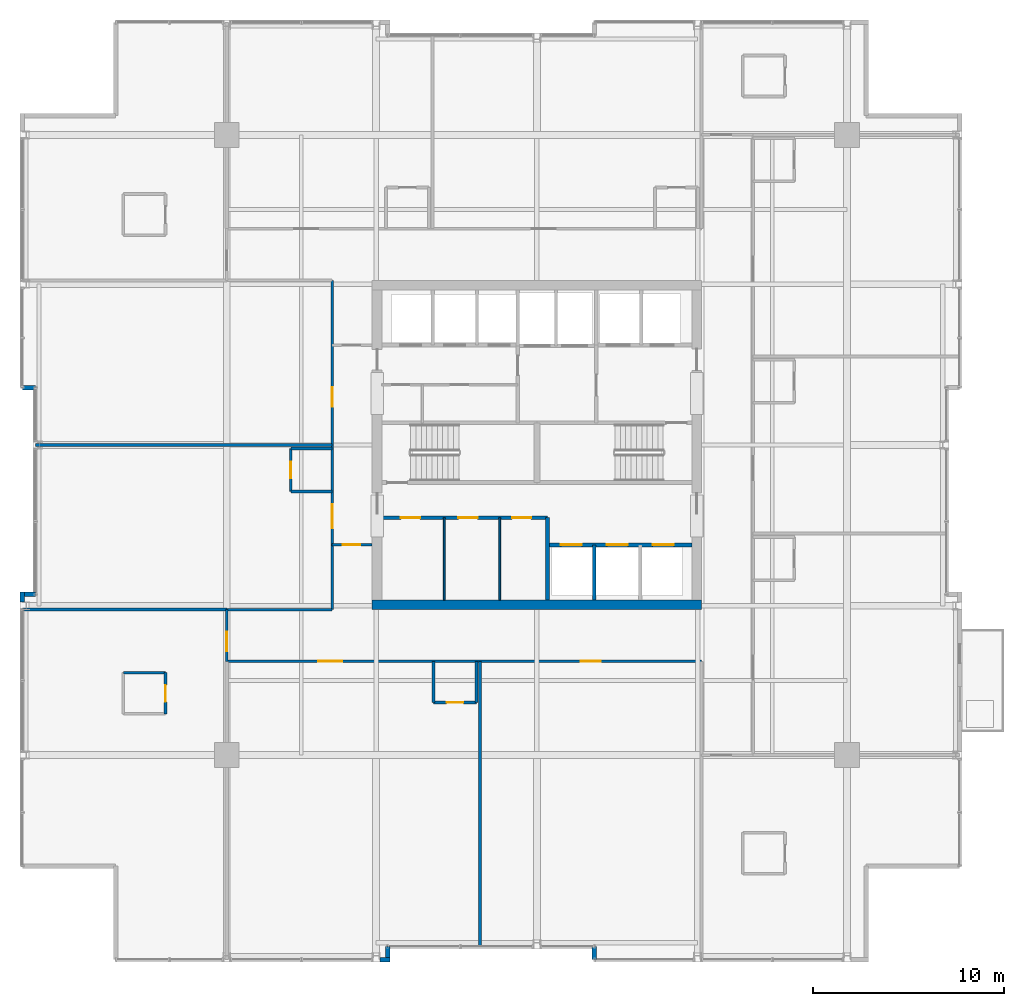
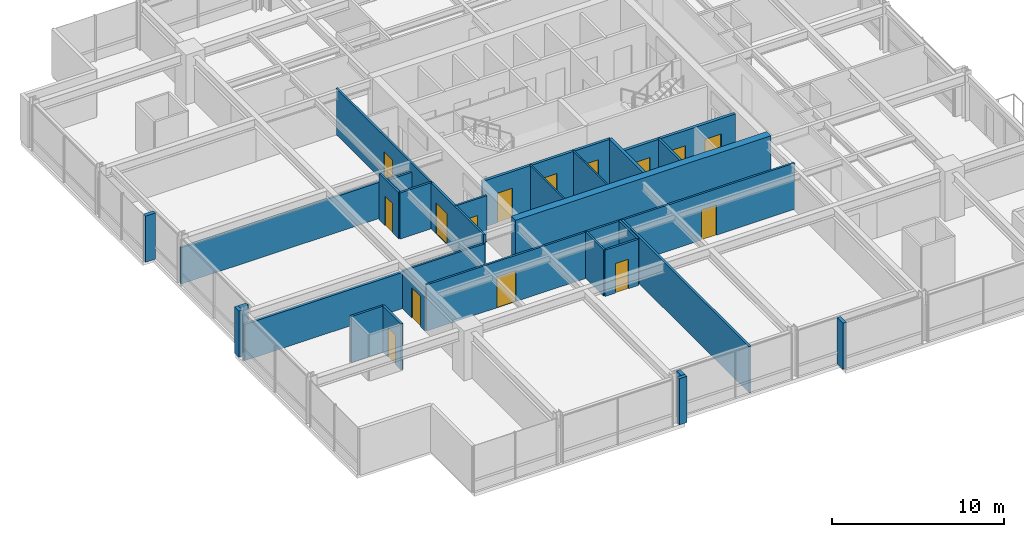
# One storey, part 27 of 32: 29 walls, 15 doors, 15 openings.
"""IFC4 building model written with IfcOpenShell, lengths in metres."""

from ifc_helpers import new_model, si_unit, direction, frame, frame_2d, origin, place, context, subcontext, project, spatial, rectangle, extrude, material, layer, layer_set, type_object, element, fill, save


model = new_model("IFC4")

# Units and contexts
model_context = context("Model", 3, precision=1e-05, world=origin(), true_north=direction((0.0, 1.0)))
body_context = subcontext(model_context, "Body", "Model", "MODEL_VIEW")
ifc_project = project(units=[si_unit("LENGTHUNIT", "METRE"), si_unit("AREAUNIT", "SQUARE_METRE"), si_unit("VOLUMEUNIT", "CUBIC_METRE"), si_unit("PLANEANGLEUNIT", "RADIAN"), si_unit("MASSUNIT", "GRAM", prefix="KILO")], contexts=[model_context])

# Site, building, storey
site_placement = place(None, origin())
site = spatial("IfcSite", under=ifc_project, at=site_placement, CompositionType="ELEMENT")
building_placement = place(site_placement, origin())
building = spatial("IfcBuilding", under=site, at=building_placement, Name="Drelvath Grand Hotel", CompositionType="ELEMENT")
storey_placement = place(building_placement, frame((0.0, 0.0, 164.60009765625)))
storey = spatial("IfcBuildingStorey", under=building, at=storey_placement, Name="L42", CompositionType="ELEMENT", Elevation=164.60009765625)

# Walls
ifc_material_1 = material(Name="Gypsum Partition Board")
ifc_layer_1 = layer(ifc_material_1, 0.10009765625)
ifc_layer_set_1 = layer_set([ifc_layer_1], Name="Gypsum Partition Board")
wall_type_1 = type_object("IfcWallType", Name="Core Closet Partition 100", PredefinedType="PARTITIONING", material=ifc_layer_set_1)
for number, where, z_axis, x_axis, name in (
    (1, (-4.840087890625, 18.89990234375, 0.0), (0.0, 0.0, 1.0), (0.0, 1.0, 0.0), "L42 Reclaimed Split 1"),
    (2, (-1.93994140625, 18.89990234375, 0.0), (0.0, 0.0, 1.0), (0.0, 1.0, 0.0), "L42 Reclaimed Split 2"),
):
    element("IfcWall", number, at=place(storey_placement, frame(where, z_axis=z_axis, x_axis=x_axis)), inside=storey, type_object=wall_type_1, Name=name, PredefinedType="PARTITIONING", context=body_context, shape_type="SweptSolid", body=[
        extrude(rectangle(XDim=4.300048828125, YDim=0.10009765625, at=frame_2d((2.14990234375, 0.0))), origin(), (0.0, 0.0, 1.0), 3.289794921875),
    ])

# Wall, openings, doors
ifc_material_2 = material(Name="Concrete C40/50", Category="concrete")
ifc_layer_2 = layer(ifc_material_2, 0.199951171875)
ifc_layer_set_2 = layer_set([ifc_layer_2], Name="Concrete C40/50")
wall_type_2 = type_object("IfcWallType", Name="Core Hoistway Fire Wall 200", PredefinedType="SOLIDWALL", material=ifc_layer_set_2)
wall_1_placement = place(storey_placement, frame((8.10009765625, 21.780029296875, 0.0), z_axis=(0.0, 0.0, 1.0), x_axis=(-1.0, 0.0, 0.0)))
wall_1 = element("IfcWall", 3, at=wall_1_placement, inside=storey, type_object=wall_type_2, Name="L42 Bank 2 Hoistway Wall", PredefinedType="SOLIDWALL", context=body_context, shape_type="SweptSolid", body=[
    extrude(rectangle(XDim=7.550048828125, YDim=0.199951171875, at=frame_2d((3.77490234375, 0.0))), origin(), (0.0, 0.0, 1.0), 3.289794921875),
])
opening_1_placement = place(wall_1_placement, frame((5.75, 0.0, 0.0)))
opening_1 = element("IfcOpeningElement", 4, at=opening_1_placement, cuts=wall_1, Name="Opening LD-PE-4", PredefinedType="OPENING", context=body_context, shape_type="SweptSolid", body=[
    extrude(rectangle(XDim=1.10009765625, YDim=2.199951171875, at=frame_2d((0.550048828125, 1.10009765625))), frame((0.0, 0.10986328125, 0.0), z_axis=(0.0, -1.0, 0.0), x_axis=(1.0, 0.0, 0.0)), (0.0, 0.0, 1.0), 0.219970703125),
])
opening_2_placement = place(wall_1_placement, frame((3.35009765625, 0.0, 0.0)))
opening_2 = element("IfcOpeningElement", 5, at=opening_2_placement, cuts=wall_1, Name="Opening LD-PE-5", PredefinedType="OPENING", context=body_context, shape_type="SweptSolid", body=[
    extrude(rectangle(XDim=1.10009765625, YDim=2.199951171875, at=frame_2d((0.550048828125, 1.10009765625))), frame((0.0, 0.10986328125, 0.0), z_axis=(0.0, -1.0, 0.0), x_axis=(1.0, 0.0, 0.0)), (0.0, 0.0, 1.0), 0.219970703125),
])
opening_3_placement = place(wall_1_placement, frame((0.949951171875, 0.0, 0.0)))
opening_3 = element("IfcOpeningElement", 6, at=opening_3_placement, cuts=wall_1, Name="Opening LD-PE-6", PredefinedType="OPENING", context=body_context, shape_type="SweptSolid", body=[
    extrude(rectangle(XDim=1.10009765625, YDim=2.199951171875, at=frame_2d((0.550048828125, 1.10009765625))), frame((0.0, 0.10986328125, 0.0), z_axis=(0.0, -1.0, 0.0), x_axis=(1.0, 0.0, 0.0)), (0.0, 0.0, 1.0), 0.219970703125),
])
ifc_material_3 = material(Name="Stainless Steel S355", Category="steel")
door_type_1 = type_object("IfcDoorType", Name="Passenger Lift Sliding Landing Door 1100x2200", OperationType="NOTDEFINED", PredefinedType="DOOR", material=ifc_material_3)
door_1_placement = place(opening_1_placement, origin())
door_1 = element("IfcDoor", 7, at=door_1_placement, inside=storey, type_object=door_type_1, Name="L42 Lift PE-4 Landing Door", OperationType="SLIDING_TO_LEFT", OverallHeight=2.199951171875, OverallWidth=1.10009765625, PredefinedType="DOOR", context=body_context, shape_type="SweptSolid", body=[
    extrude(rectangle(XDim=1.10009765625, YDim=2.199951171875, at=frame_2d((0.550048828125, 1.10009765625))), frame((0.0, 0.02490234375, 0.0), z_axis=(0.0, -1.0, 0.0), x_axis=(1.0, 0.0, 0.0)), (0.0, 0.0, 1.0), 0.050048828125),
])
fill(opening_1, door_1)
door_2_placement = place(opening_2_placement, origin())
door_2 = element("IfcDoor", 8, at=door_2_placement, inside=storey, type_object=door_type_1, Name="L42 Lift PE-5 Landing Door", OperationType="SLIDING_TO_LEFT", OverallHeight=2.199951171875, OverallWidth=1.10009765625, PredefinedType="DOOR", context=body_context, shape_type="SweptSolid", body=[
    extrude(rectangle(XDim=1.10009765625, YDim=2.199951171875, at=frame_2d((0.550048828125, 1.10009765625))), frame((0.0, 0.02490234375, 0.0), z_axis=(0.0, -1.0, 0.0), x_axis=(1.0, 0.0, 0.0)), (0.0, 0.0, 1.0), 0.050048828125),
])
fill(opening_2, door_2)
door_3_placement = place(opening_3_placement, origin())
door_3 = element("IfcDoor", 9, at=door_3_placement, inside=storey, type_object=door_type_1, Name="L42 Lift PE-6 Landing Door", OperationType="SLIDING_TO_LEFT", OverallHeight=2.199951171875, OverallWidth=1.10009765625, PredefinedType="DOOR", context=body_context, shape_type="SweptSolid", body=[
    extrude(rectangle(XDim=1.10009765625, YDim=2.199951171875, at=frame_2d((0.550048828125, 1.10009765625))), frame((0.0, 0.02490234375, 0.0), z_axis=(0.0, -1.0, 0.0), x_axis=(1.0, 0.0, 0.0)), (0.0, 0.0, 1.0), 0.050048828125),
])
fill(opening_3, door_3)

# Walls
wall_2_placement = place(storey_placement, frame((0.550048828125, 18.89990234375, 0.0), z_axis=(0.0, 0.0, 1.0), x_axis=(0.0, 1.0, 0.0)))
element("IfcWall", 10, at=wall_2_placement, inside=storey, type_object=wall_type_2, Name="L42 Bank 2 West Wall", PredefinedType="SOLIDWALL", context=body_context, shape_type="SweptSolid", body=[
    extrude(rectangle(XDim=4.300048828125, YDim=0.199951171875, at=frame_2d((2.14990234375, 0.0))), origin(), (0.0, 0.0, 1.0), 3.289794921875),
])
ifc_material_4 = material(Name="Gypsum Fireboard Partition")
ifc_layer_3 = layer(ifc_material_4, 0.1650390625)
ifc_layer_set_3 = layer_set([ifc_layer_3], Name="Gypsum Fireboard Partition")
wall_type_3 = type_object("IfcWallType", Name="Core Shaft Partition 165", PredefinedType="PARTITIONING", material=ifc_layer_set_3)
wall_3_placement = place(storey_placement, frame((3.0, 18.89990234375, 0.0), z_axis=(0.0, 0.0, 1.0), x_axis=(0.0, 1.0, 0.0)))
element("IfcWall", 11, at=wall_3_placement, inside=storey, type_object=wall_type_3, Name="L42 Lift PE-4/5 Divider", PredefinedType="PARTITIONING", context=body_context, shape_type="SweptSolid", body=[
    extrude(rectangle(XDim=2.880126953125, YDim=0.1650390625, at=frame_2d((1.43994140625, 0.0))), origin(), (0.0, 0.0, 1.0), 3.289794921875),
])

# Wall, opening, door
ifc_layer_4 = layer(ifc_material_4, 0.135009765625)
ifc_layer_set_4 = layer_set([ifc_layer_4], Name="Gypsum Fireboard Partition")
wall_type_4 = type_object("IfcWallType", Name="Corridor Fire Barrier Wall 135", PredefinedType="PARTITIONING", material=ifc_layer_set_4)
wall_4_placement = place(storey_placement, frame((-10.699951171875, 21.800048828125, 0.0), z_axis=(0.0, 0.0, 1.0), x_axis=(1.0, 0.0, 0.0)))
wall_4 = element("IfcWall", 12, at=wall_4_placement, inside=storey, type_object=wall_type_4, Name="L42 West Foyer South Wall", PredefinedType="PARTITIONING", context=body_context, shape_type="SweptSolid", body=[
    extrude(rectangle(XDim=2.099853515625, YDim=0.135009765625, at=frame_2d((1.0498046875, 0.0))), origin(), (0.0, 0.0, 1.0), 3.289794921875),
])
opening_4_placement = place(wall_4_placement, frame((0.550048828125, 0.0, 0.0)))
opening_4 = element("IfcOpeningElement", 13, at=opening_4_placement, cuts=wall_4, Name="Opening D-T3G2-024", PredefinedType="OPENING", context=body_context, shape_type="SweptSolid", body=[
    extrude(rectangle(XDim=0.919921875, YDim=2.10009765625, at=frame_2d((0.4599609375, 1.050048828125))), frame((0.0, 0.077392578125, 0.0), z_axis=(0.0, -1.0, 0.0), x_axis=(1.0, 0.0, 0.0)), (0.0, 0.0, 1.0), 0.155029296875),
])
ifc_material_5 = material(Name="Painted Steel S275", Category="steel")
door_type_2 = type_object("IfcDoorType", Name="Staff Utility Door 920x2100", OperationType="NOTDEFINED", PredefinedType="DOOR", material=ifc_material_5)
door_4_placement = place(opening_4_placement, origin())
door_4 = element("IfcDoor", 14, at=door_4_placement, inside=storey, type_object=door_type_2, Name="L42 West Linen Closet Door", OperationType="SINGLE_SWING_RIGHT", OverallHeight=2.10009765625, OverallWidth=0.919921875, PredefinedType="DOOR", context=body_context, shape_type="SweptSolid", body=[
    extrude(rectangle(XDim=0.919921875, YDim=2.10009765625, at=frame_2d((0.4599609375, 1.050048828125))), frame((0.0, 0.02490234375, 0.0), z_axis=(0.0, -1.0, 0.0), x_axis=(1.0, 0.0, 0.0)), (0.0, 0.0, 1.0), 0.050048828125),
])
fill(opening_4, door_4)

# Wall
wall_5_placement = place(storey_placement, frame((-16.199951171875, 18.39990234375, 0.0), z_axis=(0.0, 0.0, 1.0), x_axis=(1.0, 0.0, 0.0)))
element("IfcWall", 15, at=wall_5_placement, inside=storey, type_object=wall_type_4, Name="L42 SW Stub North Wall", PredefinedType="PARTITIONING", context=body_context, shape_type="SweptSolid", body=[
    extrude(rectangle(XDim=5.5, YDim=0.135009765625, at=frame_2d((2.75, 0.0))), origin(), (0.0, 0.0, 1.0), 2.667236328125),
])

# Wall, openings, doors
wall_6_placement = place(storey_placement, frame((-16.199951171875, 15.699951171875, 0.0), z_axis=(0.0, 0.0, 1.0), x_axis=(1.0, 0.0, 0.0)))
wall_6 = element("IfcWall", 16, at=wall_6_placement, inside=storey, type_object=wall_type_4, Name="L42 South Stub Corridor Wall", PredefinedType="PARTITIONING", context=body_context, shape_type="SweptSolid", body=[
    extrude(rectangle(XDim=24.800048828125, YDim=0.135009765625, at=frame_2d((12.39990234375, 0.0))), origin(), (0.0, 0.0, 1.0), 3.289794921875),
])
opening_5_placement = place(wall_6_placement, frame((4.768310546875, 0.0, 0.0)))
opening_5 = element("IfcOpeningElement", 17, at=opening_5_placement, cuts=wall_6, Name="Opening D-T3G2-035", PredefinedType="OPENING", context=body_context, shape_type="SweptSolid", body=[
    extrude(rectangle(XDim=1.260009765625, YDim=2.199951171875, at=frame_2d((0.6298828125, 1.10009765625))), frame((0.0, 0.077392578125, 0.0), z_axis=(0.0, -1.0, 0.0), x_axis=(1.0, 0.0, 0.0)), (0.0, 0.0, 1.0), 0.155029296875),
])
opening_6_placement = place(wall_6_placement, frame((18.50341796875, 0.0, 0.0)))
opening_6 = element("IfcOpeningElement", 18, at=opening_6_placement, cuts=wall_6, Name="Opening D-T3G2-036", PredefinedType="OPENING", context=body_context, shape_type="SweptSolid", body=[
    extrude(rectangle(XDim=1.02001953125, YDim=2.14990234375, at=frame_2d((0.510009765625, 1.074951171875))), frame((0.0, 0.077392578125, 0.0), z_axis=(0.0, -1.0, 0.0), x_axis=(1.0, 0.0, 0.0)), (0.0, 0.0, 1.0), 0.155029296875),
])
ifc_material_6 = material(Name="Hardwood Walnut Timber", Category="wood")
door_type_3 = type_object("IfcDoorType", Name="Amenity Meeting Fire Door 1020x2150", OperationType="NOTDEFINED", PredefinedType="DOOR", material=ifc_material_6)
door_5_placement = place(opening_6_placement, origin())
door_5 = element("IfcDoor", 19, at=door_5_placement, inside=storey, type_object=door_type_3, Name="L42 Executive Boardroom Entry Door", OperationType="SINGLE_SWING_RIGHT", OverallHeight=2.14990234375, OverallWidth=1.02001953125, PredefinedType="DOOR", context=body_context, shape_type="SweptSolid", body=[
    extrude(rectangle(XDim=1.02001953125, YDim=2.14990234375, at=frame_2d((0.510009765625, 1.074951171875))), frame((0.0, 0.02490234375, 0.0), z_axis=(0.0, -1.0, 0.0), x_axis=(1.0, 0.0, 0.0)), (0.0, 0.0, 1.0), 0.050048828125),
])
fill(opening_6, door_5)
door_type_4 = type_object("IfcDoorType", Name="Suite Entrance Fire Door 1260x2200", OperationType="NOTDEFINED", PredefinedType="DOOR", material=ifc_material_6)
door_6_placement = place(opening_5_placement, origin())
door_6 = element("IfcDoor", 20, at=door_6_placement, inside=storey, type_object=door_type_4, Name="L42 Executive Suite Entry Door", OperationType="SINGLE_SWING_LEFT", OverallHeight=2.199951171875, OverallWidth=1.260009765625, PredefinedType="DOOR", context=body_context, shape_type="SweptSolid", body=[
    extrude(rectangle(XDim=1.260009765625, YDim=2.199951171875, at=frame_2d((0.6298828125, 1.10009765625))), frame((0.0, 0.02490234375, 0.0), z_axis=(0.0, -1.0, 0.0), x_axis=(1.0, 0.0, 0.0)), (0.0, 0.0, 1.0), 0.050048828125),
])
fill(opening_5, door_6)

wall_7_placement = place(storey_placement, frame((-10.699951171875, 18.39990234375, 0.0), z_axis=(0.0, 0.0, 1.0), x_axis=(0.0, 1.0, 0.0)))
wall_7 = element("IfcWall", 21, at=wall_7_placement, inside=storey, type_object=wall_type_4, Name="L42 West Spine Wall", PredefinedType="PARTITIONING", context=body_context, shape_type="SweptSolid", body=[
    extrude(rectangle(XDim=17.2001953125, YDim=0.135009765625, at=frame_2d((8.60009765625, 0.0))), origin(), (0.0, 0.0, 1.0), 3.289794921875),
])
opening_7_placement = place(wall_7_placement, frame((4.2548828125, 0.0, 0.0)))
opening_7 = element("IfcOpeningElement", 22, at=opening_7_placement, cuts=wall_7, Name="Opening D-T3G2-048", PredefinedType="OPENING", context=body_context, shape_type="SweptSolid", body=[
    extrude(rectangle(XDim=1.260009765625, YDim=2.199951171875, at=frame_2d((0.6298828125, 1.10009765625))), frame((0.0, 0.077392578125, 0.0), z_axis=(0.0, -1.0, 0.0), x_axis=(1.0, 0.0, 0.0)), (0.0, 0.0, 1.0), 0.155029296875),
])
opening_8_placement = place(wall_7_placement, frame((10.590087890625, 0.0, 0.0)))
opening_8 = element("IfcOpeningElement", 23, at=opening_8_placement, cuts=wall_7, Name="Opening D-T3G2-049", PredefinedType="OPENING", context=body_context, shape_type="SweptSolid", body=[
    extrude(rectangle(XDim=1.02001953125, YDim=2.14990234375, at=frame_2d((0.510009765625, 1.074951171875))), frame((0.0, 0.077392578125, 0.0), z_axis=(0.0, -1.0, 0.0), x_axis=(1.0, 0.0, 0.0)), (0.0, 0.0, 1.0), 0.155029296875),
])
door_7_placement = place(opening_8_placement, origin())
door_7 = element("IfcDoor", 24, at=door_7_placement, inside=storey, type_object=door_type_3, Name="L42 Wellness Consultation Room Entry Door", OperationType="SINGLE_SWING_LEFT", OverallHeight=2.14990234375, OverallWidth=1.02001953125, PredefinedType="DOOR", context=body_context, shape_type="SweptSolid", body=[
    extrude(rectangle(XDim=1.02001953125, YDim=2.14990234375, at=frame_2d((0.510009765625, 1.074951171875))), frame((0.0, 0.02490234375, 0.0), z_axis=(0.0, -1.0, 0.0), x_axis=(1.0, 0.0, 0.0)), (0.0, 0.0, 1.0), 0.050048828125),
])
fill(opening_8, door_7)
door_8_placement = place(opening_7_placement, origin())
door_8 = element("IfcDoor", 25, at=door_8_placement, inside=storey, type_object=door_type_4, Name="L42 Executive Suite Entry Door", OperationType="SINGLE_SWING_RIGHT", OverallHeight=2.199951171875, OverallWidth=1.260009765625, PredefinedType="DOOR", context=body_context, shape_type="SweptSolid", body=[
    extrude(rectangle(XDim=1.260009765625, YDim=2.199951171875, at=frame_2d((0.6298828125, 1.10009765625))), frame((0.0, 0.02490234375, 0.0), z_axis=(0.0, -1.0, 0.0), x_axis=(1.0, 0.0, 0.0)), (0.0, 0.0, 1.0), 0.050048828125),
])
fill(opening_7, door_8)

# Wall, opening, door
wall_8_placement = place(storey_placement, frame((-16.199951171875, 15.699951171875, 0.0), z_axis=(0.0, 0.0, 1.0), x_axis=(0.0, 1.0, 0.0)))
wall_8 = element("IfcWall", 26, at=wall_8_placement, inside=storey, type_object=wall_type_4, Name="L42 South Stub West End", PredefinedType="PARTITIONING", context=body_context, shape_type="SweptSolid", body=[
    extrude(rectangle(XDim=2.699951171875, YDim=0.135009765625, at=frame_2d((1.35009765625, 0.0))), origin(), (0.0, 0.0, 1.0), 2.579345703125),
])
opening_9_placement = place(wall_8_placement, frame((0.52001953125, 0.0, 0.0)))
opening_9 = element("IfcOpeningElement", 27, at=opening_9_placement, cuts=wall_8, Name="Opening D-T3G2-027", PredefinedType="OPENING", context=body_context, shape_type="SweptSolid", body=[
    extrude(rectangle(XDim=1.02001953125, YDim=2.14990234375, at=frame_2d((0.510009765625, 1.074951171875))), frame((0.0, 0.077392578125, 0.0), z_axis=(0.0, -1.0, 0.0), x_axis=(1.0, 0.0, 0.0)), (0.0, 0.0, 1.0), 0.155029296875),
])
door_9_placement = place(opening_9_placement, origin())
door_9 = element("IfcDoor", 28, at=door_9_placement, inside=storey, type_object=door_type_3, Name="L42 Executive Suite Entry Door", OperationType="SINGLE_SWING_LEFT", OverallHeight=2.14990234375, OverallWidth=1.02001953125, PredefinedType="DOOR", context=body_context, shape_type="SweptSolid", body=[
    extrude(rectangle(XDim=1.02001953125, YDim=2.14990234375, at=frame_2d((0.510009765625, 1.074951171875))), frame((0.0, 0.02490234375, 0.0), z_axis=(0.0, -1.0, 0.0), x_axis=(1.0, 0.0, 0.0)), (0.0, 0.0, 1.0), 0.050048828125),
])
fill(opening_9, door_9)

# Wall
ifc_material_7 = material(Name="Moisture-Resistant Gypsum Board")
ifc_layer_5 = layer(ifc_material_7, 0.139892578125)
ifc_layer_set_5 = layer_set([ifc_layer_5], Name="Moisture-Resistant Gypsum Board")
wall_type_5 = type_object("IfcWallType", Name="En-Suite Plumbing Wall 140", PredefinedType="PLUMBINGWALL", material=ifc_layer_set_5)
wall_9_placement = place(storey_placement, frame((-21.60009765625, 15.110107421875, 0.0), z_axis=(0.0, 0.0, 1.0), x_axis=(1.0, 0.0, 0.0)))
element("IfcWall", 29, at=wall_9_placement, inside=storey, type_object=wall_type_5, Name="L42 Corner En-Suite North", PredefinedType="PLUMBINGWALL", context=body_context, shape_type="SweptSolid", body=[
    extrude(rectangle(XDim=2.2001953125, YDim=0.139892578125, at=frame_2d((1.10009765625, 0.0))), origin(), (0.0, 0.0, 1.0), 3.289794921875),
])

# Wall, opening, door
wall_10_placement = place(storey_placement, frame((-19.39990234375, 12.9599609375, 0.0), z_axis=(0.0, 0.0, 1.0), x_axis=(0.0, 1.0, 0.0)))
wall_10 = element("IfcWall", 30, at=wall_10_placement, inside=storey, type_object=wall_type_5, Name="L42 Corner En-Suite East", PredefinedType="PLUMBINGWALL", context=body_context, shape_type="SweptSolid", body=[
    extrude(rectangle(XDim=2.150146484375, YDim=0.139892578125, at=frame_2d((1.0751953125, 0.0))), origin(), (0.0, 0.0, 1.0), 3.289794921875),
])
opening_10_placement = place(wall_10_placement, frame((0.6201171875, 0.0, 0.0)))
opening_10 = element("IfcOpeningElement", 31, at=opening_10_placement, cuts=wall_10, Name="Opening D-T3G2-026", PredefinedType="OPENING", context=body_context, shape_type="SweptSolid", body=[
    extrude(rectangle(XDim=0.8798828125, YDim=2.10009765625, at=frame_2d((0.43994140625, 1.050048828125))), frame((0.0, 0.079833984375, 0.0), z_axis=(0.0, -1.0, 0.0), x_axis=(1.0, 0.0, 0.0)), (0.0, 0.0, 1.0), 0.159912109375),
])
door_type_5 = type_object("IfcDoorType", Name="En-Suite Bathroom Door 880x2100", OperationType="NOTDEFINED", PredefinedType="DOOR", material=ifc_material_6)
door_10_placement = place(opening_10_placement, origin())
door_10 = element("IfcDoor", 32, at=door_10_placement, inside=storey, type_object=door_type_5, Name="L42 Corner En-Suite Door", OperationType="SINGLE_SWING_RIGHT", OverallHeight=2.10009765625, OverallWidth=0.8798828125, PredefinedType="DOOR", context=body_context, shape_type="SweptSolid", body=[
    extrude(rectangle(XDim=0.8798828125, YDim=2.10009765625, at=frame_2d((0.43994140625, 1.050048828125))), frame((0.0, 0.02490234375, 0.0), z_axis=(0.0, -1.0, 0.0), x_axis=(1.0, 0.0, 0.0)), (0.0, 0.0, 1.0), 0.050048828125),
])
fill(opening_10, door_10)

# Walls
for number, where, z_axis, x_axis, name in (
    (33, (-5.4033203125, 15.699951171875, 0.0), (0.0, 0.0, 1.0), (0.0, -1.0, 0.0), "L42 En-Suite Left Wall"),
    (34, (-3.1533203125, 15.699951171875, 0.0), (0.0, 0.0, 1.0), (0.0, -1.0, 0.0), "L42 En-Suite Right Wall"),
):
    element("IfcWall", number, at=place(storey_placement, frame(where, z_axis=z_axis, x_axis=x_axis)), inside=storey, type_object=wall_type_5, Name=name, PredefinedType="PLUMBINGWALL", context=body_context, shape_type="SweptSolid", body=[
        extrude(rectangle(XDim=2.14990234375, YDim=0.139892578125, at=frame_2d((1.074951171875, 0.0))), origin(), (0.0, 0.0, 1.0), 3.289794921875),
    ])

# Wall, opening, door
wall_11_placement = place(storey_placement, frame((-5.4033203125, 13.550048828125, 0.0), z_axis=(0.0, 0.0, 1.0), x_axis=(1.0, 0.0, 0.0)))
wall_11 = element("IfcWall", 35, at=wall_11_placement, inside=storey, type_object=wall_type_5, Name="L42 En-Suite Front Wall", PredefinedType="PLUMBINGWALL", context=body_context, shape_type="SweptSolid", body=[
    extrude(rectangle(XDim=2.25, YDim=0.139892578125, at=frame_2d((1.125, 0.0))), origin(), (0.0, 0.0, 1.0), 3.289794921875),
])
opening_11_placement = place(wall_11_placement, frame((0.68505859375, 0.0, 0.0)))
opening_11 = element("IfcOpeningElement", 36, at=opening_11_placement, cuts=wall_11, Name="Opening D-T3G2-034", PredefinedType="OPENING", context=body_context, shape_type="SweptSolid", body=[
    extrude(rectangle(XDim=0.8798828125, YDim=2.10009765625, at=frame_2d((0.43994140625, 1.050048828125))), frame((0.0, 0.079833984375, 0.0), z_axis=(0.0, -1.0, 0.0), x_axis=(1.0, 0.0, 0.0)), (0.0, 0.0, 1.0), 0.159912109375),
])
door_11_placement = place(opening_11_placement, origin())
door_11 = element("IfcDoor", 37, at=door_11_placement, inside=storey, type_object=door_type_5, Name="L42 En-Suite Bathroom Door", OperationType="SINGLE_SWING_RIGHT", OverallHeight=2.10009765625, OverallWidth=0.8798828125, PredefinedType="DOOR", context=body_context, shape_type="SweptSolid", body=[
    extrude(rectangle(XDim=0.8798828125, YDim=2.10009765625, at=frame_2d((0.43994140625, 1.050048828125))), frame((0.0, 0.02490234375, 0.0), z_axis=(0.0, -1.0, 0.0), x_axis=(1.0, 0.0, 0.0)), (0.0, 0.0, 1.0), 0.050048828125),
])
fill(opening_11, door_11)

# Walls
wall_12_placement = place(storey_placement, frame((-10.699951171875, 24.570068359375, 0.0), z_axis=(0.0, 0.0, 1.0), x_axis=(-1.0, 0.0, 0.0)))
element("IfcWall", 38, at=wall_12_placement, inside=storey, type_object=wall_type_5, Name="L42 En-Suite Left Wall", PredefinedType="PLUMBINGWALL", context=body_context, shape_type="SweptSolid", body=[
    extrude(rectangle(XDim=2.150146484375, YDim=0.139892578125, at=frame_2d((1.0751953125, 0.0))), origin(), (0.0, 0.0, 1.0), 3.289794921875),
])
wall_13_placement = place(storey_placement, frame((-10.699951171875, 26.820068359375, 0.0), z_axis=(0.0, 0.0, 1.0), x_axis=(-1.0, 0.0, 0.0)))
element("IfcWall", 39, at=wall_13_placement, inside=storey, type_object=wall_type_5, Name="L42 En-Suite Right Wall", PredefinedType="PLUMBINGWALL", context=body_context, shape_type="SweptSolid", body=[
    extrude(rectangle(XDim=2.150146484375, YDim=0.139892578125, at=frame_2d((1.0751953125, 0.0))), origin(), (0.0, 0.0, 1.0), 2.667236328125),
])

# Wall, opening, door
wall_14_placement = place(storey_placement, frame((-12.85009765625, 24.570068359375, 0.0), z_axis=(0.0, 0.0, 1.0), x_axis=(0.0, 1.0, 0.0)))
wall_14 = element("IfcWall", 40, at=wall_14_placement, inside=storey, type_object=wall_type_5, Name="L42 En-Suite Front Wall", PredefinedType="PLUMBINGWALL", context=body_context, shape_type="SweptSolid", body=[
    extrude(rectangle(XDim=2.25, YDim=0.139892578125, at=frame_2d((1.125, 0.0))), origin(), (0.0, 0.0, 1.0), 3.289794921875),
])
opening_12_placement = place(wall_14_placement, frame((0.68505859375, 0.0, 0.0)))
opening_12 = element("IfcOpeningElement", 41, at=opening_12_placement, cuts=wall_14, Name="Opening D-T3G2-047", PredefinedType="OPENING", context=body_context, shape_type="SweptSolid", body=[
    extrude(rectangle(XDim=0.8798828125, YDim=2.10009765625, at=frame_2d((0.43994140625, 1.050048828125))), frame((0.0, 0.079833984375, 0.0), z_axis=(0.0, -1.0, 0.0), x_axis=(1.0, 0.0, 0.0)), (0.0, 0.0, 1.0), 0.159912109375),
])
door_12_placement = place(opening_12_placement, origin())
door_12 = element("IfcDoor", 42, at=door_12_placement, inside=storey, type_object=door_type_5, Name="L42 En-Suite Bathroom Door", OperationType="SINGLE_SWING_LEFT", OverallHeight=2.10009765625, OverallWidth=0.8798828125, PredefinedType="DOOR", context=body_context, shape_type="SweptSolid", body=[
    extrude(rectangle(XDim=0.8798828125, YDim=2.10009765625, at=frame_2d((0.43994140625, 1.050048828125))), frame((0.0, 0.02490234375, 0.0), z_axis=(0.0, -1.0, 0.0), x_axis=(1.0, 0.0, 0.0)), (0.0, 0.0, 1.0), 0.050048828125),
])
fill(opening_12, door_12)

# Wall, openings, doors
ifc_layer_6 = layer(ifc_material_4, 0.179931640625)
ifc_layer_set_6 = layer_set([ifc_layer_6], Name="Gypsum Fireboard Partition")
wall_type_6 = type_object("IfcWallType", Name="FSAE Smoke Lobby Fire Wall 180", PredefinedType="SOLIDWALL", material=ifc_layer_set_6)
wall_15_placement = place(storey_placement, frame((-8.10009765625, 23.199951171875, 0.0), z_axis=(0.0, 0.0, 1.0), x_axis=(1.0, 0.0, 0.0)))
wall_15 = element("IfcWall", 43, at=wall_15_placement, inside=storey, type_object=wall_type_6, Name="L42 Reclaimed Core Room Wall", PredefinedType="SOLIDWALL", context=body_context, shape_type="SweptSolid", body=[
    extrude(rectangle(XDim=8.650146484375, YDim=0.179931640625, at=frame_2d((4.3251953125, 0.0))), origin(), (0.0, 0.0, 1.0), 3.289794921875),
])
opening_13_placement = place(wall_15_placement, frame((1.0, 0.0, 0.0)))
opening_13 = element("IfcOpeningElement", 44, at=opening_13_placement, cuts=wall_15, Name="Opening D-T3G2-021", PredefinedType="OPENING", context=body_context, shape_type="SweptSolid", body=[
    extrude(rectangle(XDim=1.0, YDim=2.10009765625, at=frame_2d((0.5, 1.050048828125))), frame((0.0, 0.099853515625, 0.0), z_axis=(0.0, -1.0, 0.0), x_axis=(1.0, 0.0, 0.0)), (0.0, 0.0, 1.0), 0.199951171875),
])
opening_14_placement = place(wall_15_placement, frame((4.0, 0.0, 0.0)))
opening_14 = element("IfcOpeningElement", 45, at=opening_14_placement, cuts=wall_15, Name="Opening D-T3G2-022", PredefinedType="OPENING", context=body_context, shape_type="SweptSolid", body=[
    extrude(rectangle(XDim=1.0, YDim=2.10009765625, at=frame_2d((0.5, 1.050048828125))), frame((0.0, 0.099853515625, 0.0), z_axis=(0.0, -1.0, 0.0), x_axis=(1.0, 0.0, 0.0)), (0.0, 0.0, 1.0), 0.199951171875),
])
opening_15_placement = place(wall_15_placement, frame((6.800048828125, 0.0, 0.0)))
opening_15 = element("IfcOpeningElement", 46, at=opening_15_placement, cuts=wall_15, Name="Opening D-T3G2-023", PredefinedType="OPENING", context=body_context, shape_type="SweptSolid", body=[
    extrude(rectangle(XDim=1.0, YDim=2.10009765625, at=frame_2d((0.5, 1.050048828125))), frame((0.0, 0.099853515625, 0.0), z_axis=(0.0, -1.0, 0.0), x_axis=(1.0, 0.0, 0.0)), (0.0, 0.0, 1.0), 0.199951171875),
])
door_type_6 = type_object("IfcDoorType", Name="Core Service Fire Door 1000x2100", OperationType="NOTDEFINED", PredefinedType="DOOR", material=ifc_material_5)
door_13_placement = place(opening_13_placement, origin())
door_13 = element("IfcDoor", 47, at=door_13_placement, inside=storey, type_object=door_type_6, Name="L42 Housekeeping Door", OperationType="SINGLE_SWING_LEFT", OverallHeight=2.10009765625, OverallWidth=1.0, PredefinedType="DOOR", context=body_context, shape_type="SweptSolid", body=[
    extrude(rectangle(XDim=1.0, YDim=2.10009765625, at=frame_2d((0.5, 1.050048828125))), frame((0.0, 0.02490234375, 0.0), z_axis=(0.0, -1.0, 0.0), x_axis=(1.0, 0.0, 0.0)), (0.0, 0.0, 1.0), 0.050048828125),
])
fill(opening_13, door_13)
door_14_placement = place(opening_14_placement, origin())
door_14 = element("IfcDoor", 48, at=door_14_placement, inside=storey, type_object=door_type_6, Name="L42 Pantry Door", OperationType="SINGLE_SWING_RIGHT", OverallHeight=2.10009765625, OverallWidth=1.0, PredefinedType="DOOR", context=body_context, shape_type="SweptSolid", body=[
    extrude(rectangle(XDim=1.0, YDim=2.10009765625, at=frame_2d((0.5, 1.050048828125))), frame((0.0, 0.02490234375, 0.0), z_axis=(0.0, -1.0, 0.0), x_axis=(1.0, 0.0, 0.0)), (0.0, 0.0, 1.0), 0.050048828125),
])
fill(opening_14, door_14)
door_15_placement = place(opening_15_placement, origin())
door_15 = element("IfcDoor", 49, at=door_15_placement, inside=storey, type_object=door_type_6, Name="L42 Luggage Store Door", OperationType="SINGLE_SWING_LEFT", OverallHeight=2.10009765625, OverallWidth=1.0, PredefinedType="DOOR", context=body_context, shape_type="SweptSolid", body=[
    extrude(rectangle(XDim=1.0, YDim=2.10009765625, at=frame_2d((0.5, 1.050048828125))), frame((0.0, 0.02490234375, 0.0), z_axis=(0.0, -1.0, 0.0), x_axis=(1.0, 0.0, 0.0)), (0.0, 0.0, 1.0), 0.050048828125),
])
fill(opening_15, door_15)

# Walls
ifc_material_8 = material(Name="Gypsum Acoustic Partition")
ifc_layer_7 = layer(ifc_material_8, 0.14990234375)
ifc_layer_set_7 = layer_set([ifc_layer_7], Name="Gypsum Acoustic Partition")
wall_type_7 = type_object("IfcWallType", Name="Guestroom Demising Wall 150", PredefinedType="PARTITIONING", material=ifc_layer_set_7)
wall_16_placement = place(storey_placement, frame((-2.973388671875, 0.800048828125, 0.0), z_axis=(0.0, 0.0, 1.0), x_axis=(0.0, 1.0, 0.0)))
element("IfcWall", 50, at=wall_16_placement, inside=storey, type_object=wall_type_7, Name="L42 South Demising 1", PredefinedType="PARTITIONING", context=body_context, shape_type="SweptSolid", body=[
    extrude(rectangle(XDim=14.89990234375, YDim=0.14990234375, at=frame_2d((7.449951171875, 0.0))), origin(), (0.0, 0.0, 1.0), 3.289794921875),
])
wall_17_placement = place(storey_placement, frame((-26.199951171875, 27.0, 0.0), z_axis=(0.0, 0.0, 1.0), x_axis=(1.0, 0.0, 0.0)))
element("IfcWall", 51, at=wall_17_placement, inside=storey, type_object=wall_type_7, Name="L42 West Suite Demising Wall", PredefinedType="PARTITIONING", context=body_context, shape_type="SweptSolid", body=[
    extrude(rectangle(XDim=15.5, YDim=0.14990234375, at=frame_2d((7.75, 0.0))), origin(), (0.0, 0.0, 1.0), 2.579345703125),
])
ifc_layer_8 = layer(ifc_material_8, 0.1650390625)
ifc_layer_set_8 = layer_set([ifc_layer_8], Name="Gypsum Acoustic Partition")
wall_type_8 = type_object("IfcWallType", Name="Suite Demising Wall 165", PredefinedType="PARTITIONING", material=ifc_layer_set_8)
wall_18_placement = place(storey_placement, frame((-26.8798828125, 18.39990234375, 0.0), z_axis=(0.0, 0.0, 1.0), x_axis=(1.0, 0.0, 0.0)))
element("IfcWall", 52, at=wall_18_placement, inside=storey, type_object=wall_type_8, Name="L42 SW Suite North Wall", PredefinedType="PARTITIONING", context=body_context, shape_type="SweptSolid", body=[
    extrude(rectangle(XDim=10.679931640625, YDim=0.1650390625, at=frame_2d((5.33984375, 0.0))), origin(), (0.0, 0.0, 1.0), 2.579345703125),
])
ifc_material_9 = material(Name="Pale-Metal Insulated Aluminium Spandrel Assembly", Category="aluminium")
ifc_layer_9 = layer(ifc_material_9, 0.239990234375)
ifc_layer_set_9 = layer_set([ifc_layer_9], Name="Pale-Metal Insulated Aluminium Spandrel Assembly")
wall_type_9 = type_object("IfcWallType", Name="Tower Insulated Metal Spandrel Closure Wall 240", PredefinedType="STANDARD", material=ifc_layer_set_9)
for number, where, z_axis, x_axis, name in (
    (53, (-26.8798828125, 18.800048828125, 0.0), (0.0, 0.0, 1.0), (0.0, 1.0, 0.0), "L42 Corner Pier Spandrel Wall WS3"),
    (54, (-7.679931640625, 0.1201171875, 0.0), (0.0, 0.0, 1.0), (-1.0, 0.0, 0.0), "L42 Corner Pier Spandrel Wall SW3"),
):
    element("IfcWall", number, at=place(storey_placement, frame(where, z_axis=z_axis, x_axis=x_axis)), inside=storey, type_object=wall_type_9, Name=name, PredefinedType="STANDARD", context=body_context, shape_type="SweptSolid", body=[
        extrude(rectangle(XDim=0.52001953125, YDim=0.239990234375, at=frame_2d((0.260009765625, 0.0))), origin(), (0.0, 0.0, 1.0), 3.289794921875),
    ])
wall_19_placement = place(storey_placement, frame((-26.760009765625, 19.199951171875, 0.0), z_axis=(0.0, 0.0, 1.0), x_axis=(1.0, 0.0, 0.0)))
element("IfcWall", 55, at=wall_19_placement, inside=storey, type_object=wall_type_9, Name="L42 Notched Corner Return Spandrel Wall RW1", PredefinedType="STANDARD", context=body_context, shape_type="SweptSolid", body=[
    extrude(rectangle(XDim=0.56005859375, YDim=0.239990234375, at=frame_2d((0.280029296875, 0.0))), origin(), (0.0, 0.0, 1.0), 3.289794921875),
])
for number, where, z_axis, x_axis, name in (
    (56, (-26.199951171875, 30.0, 0.0), (0.0, 0.0, 1.0), (-1.0, 0.0, 0.0), "L42 Notched Corner Return Spandrel Wall RW2"),
    (57, (3.0, 0.1201171875, 0.0), (0.0, 0.0, 1.0), (0.0, 1.0, 0.0), "L42 Notched Corner Return Spandrel Wall RS1"),
):
    element("IfcWall", number, at=place(storey_placement, frame(where, z_axis=z_axis, x_axis=x_axis)), inside=storey, type_object=wall_type_9, Name=name, PredefinedType="STANDARD", context=body_context, shape_type="SweptSolid", body=[
        extrude(rectangle(XDim=0.679931640625, YDim=0.239990234375, at=frame_2d((0.33984375, 0.0))), origin(), (0.0, 0.0, 1.0), 3.289794921875),
    ])
wall_20_placement = place(storey_placement, frame((-7.800048828125, 0.800048828125, 0.0), z_axis=(0.0, 0.0, 1.0), x_axis=(0.0, -1.0, 0.0)))
element("IfcWall", 58, at=wall_20_placement, inside=storey, type_object=wall_type_9, Name="L42 Notched Corner Return Spandrel Wall RS2", PredefinedType="STANDARD", context=body_context, shape_type="SweptSolid", body=[
    extrude(rectangle(XDim=0.56005859375, YDim=0.239990234375, at=frame_2d((0.280029296875, 0.0))), origin(), (0.0, 0.0, 1.0), 3.289794921875),
])
ifc_material_10 = material(Name="Concrete f'c 55 MPa", Category="concrete")
ifc_layer_10 = layer(ifc_material_10, 0.5)
ifc_layer_set_10 = layer_set([ifc_layer_10], Name="Concrete f'c 55 MPa")
wall_type_10 = type_object("IfcWallType", Name="Upper Core RC Shear Wall 500", PredefinedType="SHEAR", material=ifc_layer_set_10)
wall_21_placement = place(storey_placement, frame((8.60009765625, 18.64990234375, 0.0), z_axis=(0.0, 0.0, 1.0), x_axis=(-1.0, 0.0, 0.0)))
element("IfcWall", 59, at=wall_21_placement, inside=storey, type_object=wall_type_10, Name="L42 Central Core Shear Wall S", PredefinedType="SHEAR", context=body_context, shape_type="SweptSolid", body=[
    extrude(rectangle(XDim=17.2001953125, YDim=0.5, at=frame_2d((8.60009765625, 0.0))), origin(), (0.0, 0.0, 1.0), 3.5498046875),
])

save(model, "model.ifc")
